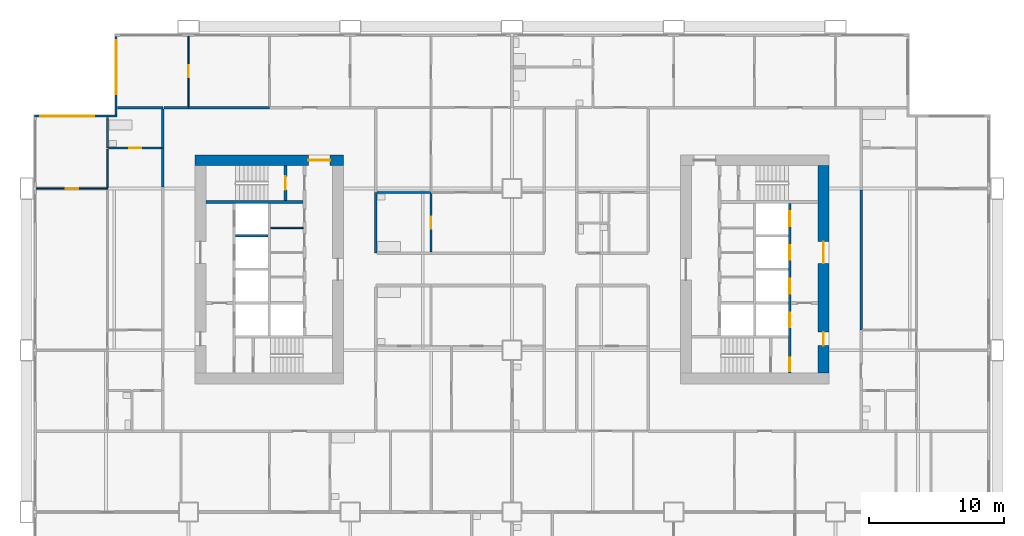
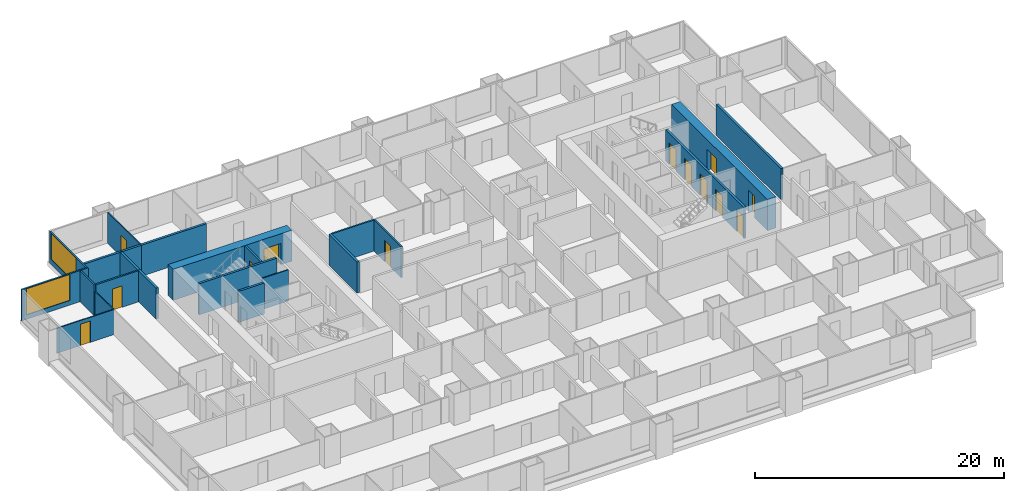
# One storey, part 7 of 13: 23 walls, 13 doors, 2 windows, 15 openings.
"""IFC4 building model written with IfcOpenShell, lengths in metres."""

from ifc_helpers import new_model, si_unit, direction, frame, frame_2d, origin, place, context, subcontext, project, spatial, rectangle, extrude, material, layer, layer_set, type_object, element, fill, save


model = new_model("IFC4")

# Units and contexts
model_context = context("Model", 3, precision=1e-05, world=origin(), true_north=direction((0.0, 1.0)))
body_context = subcontext(model_context, "Body", "Model", "MODEL_VIEW")
ifc_project = project(units=[si_unit("LENGTHUNIT", "METRE"), si_unit("AREAUNIT", "SQUARE_METRE"), si_unit("VOLUMEUNIT", "CUBIC_METRE"), si_unit("PLANEANGLEUNIT", "RADIAN"), si_unit("MASSUNIT", "GRAM", prefix="KILO")], contexts=[model_context])

# Site, building, storey
site_placement = place(None, origin())
site = spatial("IfcSite", under=ifc_project, at=site_placement, CompositionType="ELEMENT")
building_placement = place(site_placement, origin())
building = spatial("IfcBuilding", under=site, at=building_placement, Name="Kitamizu Gate Tower and Museum", CompositionType="ELEMENT")
storey_placement = place(building_placement, frame((0.0, 0.0, 78.300048828125)))
storey = spatial("IfcBuildingStorey", under=building, at=storey_placement, Name="L19", CompositionType="ELEMENT", Elevation=78.300048828125)

# Wall, opening, door
ifc_material_1 = material(Name="Concrete Fc60", Category="concrete")
ifc_layer_1 = layer(ifc_material_1, 0.800048828125)
ifc_layer_set_1 = layer_set([ifc_layer_1], Name="Concrete Fc60")
wall_type_1 = type_object("IfcWallType", Name="Core wall 800", PredefinedType="SHEAR", material=ifc_layer_set_1)
wall_1_placement = place(storey_placement, frame((12.5, 38.10009765625, 0.0), z_axis=(0.0, 0.0, 1.0), x_axis=(1.0, 0.0, 0.0)))
wall_1 = element("IfcWall", 1, at=wall_1_placement, inside=storey, type_object=wall_type_1, Name="Core wall WN", PredefinedType="SHEAR", context=body_context, shape_type="SweptSolid", body=[
    extrude(rectangle(XDim=11.0, YDim=0.800048828125, at=frame_2d((5.5, 0.0))), origin(), (0.0, 0.0, 1.0), 3.050048828125),
])
opening_1_placement = place(wall_1_placement, frame((8.39990234375, 0.0, 0.0)))
opening_1 = element("IfcOpeningElement", 2, at=opening_1_placement, cuts=wall_1, Name="Opening L19-078", PredefinedType="OPENING", context=body_context, shape_type="SweptSolid", body=[
    extrude(rectangle(XDim=1.60009765625, YDim=2.10009765625, at=frame_2d((0.800048828125, 1.050048828125))), frame((0.0, 0.41015625, 0.0), z_axis=(0.0, -1.0, 0.0), x_axis=(1.0, 0.0, 0.0)), (0.0, 0.0, 1.0), 0.820068359375),
])
ifc_material_2 = material(Name="Timber door set", Category="wood")
door_type_1 = type_object("IfcDoorType", Name="Entrance door 1600", OperationType="DOUBLE_DOOR_SINGLE_SWING", PredefinedType="DOOR", material=ifc_material_2)
door_1_placement = place(opening_1_placement, origin())
door_1 = element("IfcDoor", 3, at=door_1_placement, inside=storey, type_object=door_type_1, Name="Lobby door L19-078", OperationType="DOUBLE_DOOR_SINGLE_SWING", OverallHeight=2.10009765625, OverallWidth=1.60009765625, PredefinedType="DOOR", context=body_context, shape_type="SweptSolid", body=[
    extrude(rectangle(XDim=1.60009765625, YDim=2.10009765625, at=frame_2d((0.800048828125, 1.050048828125))), frame((0.0, 0.02490234375, 0.0), z_axis=(0.0, -1.0, 0.0), x_axis=(1.0, 0.0, 0.0)), (0.0, 0.0, 1.0), 0.050048828125),
])
fill(opening_1, door_1)

# Wall, openings, doors
wall_2_placement = place(storey_placement, frame((59.10009765625, 22.300048828125, 0.0), z_axis=(0.0, 0.0, 1.0), x_axis=(0.0, 1.0, 0.0)))
wall_2 = element("IfcWall", 4, at=wall_2_placement, inside=storey, type_object=wall_type_1, Name="Core wall EOUT", PredefinedType="SHEAR", context=body_context, shape_type="SweptSolid", body=[
    extrude(rectangle(XDim=15.39990234375, YDim=0.800048828125, at=frame_2d((7.699951171875, 0.0))), origin(), (0.0, 0.0, 1.0), 3.050048828125),
])
opening_2_placement = place(wall_2_placement, frame((8.14990234375, 0.0, 0.0)))
opening_2 = element("IfcOpeningElement", 5, at=opening_2_placement, cuts=wall_2, Name="Opening L19-089", PredefinedType="OPENING", context=body_context, shape_type="SweptSolid", body=[
    extrude(rectangle(XDim=1.60009765625, YDim=2.10009765625, at=frame_2d((0.800048828125, 1.050048828125))), frame((0.0, 0.41015625, 0.0), z_axis=(0.0, -1.0, 0.0), x_axis=(1.0, 0.0, 0.0)), (0.0, 0.0, 1.0), 0.820068359375),
])
opening_3_placement = place(wall_2_placement, frame((2.050048828125, 0.0, 0.0)))
opening_3 = element("IfcOpeningElement", 6, at=opening_3_placement, cuts=wall_2, Name="Opening L19-090", PredefinedType="OPENING", context=body_context, shape_type="SweptSolid", body=[
    extrude(rectangle(XDim=1.0, YDim=2.10009765625, at=frame_2d((0.5, 1.050048828125))), frame((0.0, 0.41015625, 0.0), z_axis=(0.0, -1.0, 0.0), x_axis=(1.0, 0.0, 0.0)), (0.0, 0.0, 1.0), 0.820068359375),
])
door_2_placement = place(opening_2_placement, origin())
door_2 = element("IfcDoor", 7, at=door_2_placement, inside=storey, type_object=door_type_1, Name="Lobby door L19-089", OperationType="DOUBLE_DOOR_SINGLE_SWING", OverallHeight=2.10009765625, OverallWidth=1.60009765625, PredefinedType="DOOR", context=body_context, shape_type="SweptSolid", body=[
    extrude(rectangle(XDim=1.60009765625, YDim=2.10009765625, at=frame_2d((0.800048828125, 1.050048828125))), frame((0.0, 0.02490234375, 0.0), z_axis=(0.0, -1.0, 0.0), x_axis=(1.0, 0.0, 0.0)), (0.0, 0.0, 1.0), 0.050048828125),
])
fill(opening_2, door_2)
ifc_material_3 = material(Name="Hollow metal door set")
door_type_2 = type_object("IfcDoorType", Name="Fire door 1000", OperationType="NOTDEFINED", PredefinedType="DOOR", material=ifc_material_3)
door_3_placement = place(opening_3_placement, origin())
door_3 = element("IfcDoor", 8, at=door_3_placement, inside=storey, type_object=door_type_2, Name="Fire-fighting lobby door L19-090", OperationType="SINGLE_SWING_LEFT", OverallHeight=2.10009765625, OverallWidth=1.0, PredefinedType="DOOR", context=body_context, shape_type="SweptSolid", body=[
    extrude(rectangle(XDim=1.0, YDim=2.10009765625, at=frame_2d((0.5, 1.050048828125))), frame((0.0, 0.02490234375, 0.0), z_axis=(0.0, -1.0, 0.0), x_axis=(1.0, 0.0, 0.0)), (0.0, 0.0, 1.0), 0.050048828125),
])
fill(opening_3, door_3)

# Wall
ifc_material_4 = material(Name="Gypsum board on galvanised stud")
ifc_layer_2 = layer(ifc_material_4, 0.10009765625)
ifc_layer_set_2 = layer_set([ifc_layer_2], Name="Gypsum board on galvanised stud")
wall_type_2 = type_object("IfcWallType", Name="Partition 100", PredefinedType="PARTITIONING", material=ifc_layer_set_2)
wall_3_placement = place(storey_placement, frame((18.10009765625, 33.074951171875, 0.0), z_axis=(0.0, 0.0, 1.0), x_axis=(1.0, 0.0, 0.0)))
element("IfcWall", 9, at=wall_3_placement, inside=storey, type_object=wall_type_2, Name="Partition WPF3", PredefinedType="PARTITIONING", context=body_context, shape_type="SweptSolid", body=[
    extrude(rectangle(XDim=2.39990234375, YDim=0.10009765625, at=frame_2d((1.199951171875, 0.0))), origin(), (0.0, 0.0, 1.0), 3.050048828125),
])

# Wall, opening, door
ifc_material_5 = material(Name="Gypsum board on galvanised stud")
ifc_layer_3 = layer(ifc_material_5, 0.10009765625)
ifc_layer_set_3 = layer_set([ifc_layer_3], Name="Gypsum board on galvanised stud")
wall_type_3 = type_object("IfcWallType", Name="Partition 100 NOT RATED", PredefinedType="PARTITIONING", material=ifc_layer_set_3)
wall_4_placement = place(storey_placement, frame((6.0, 36.0, 0.0), z_axis=(0.0, 0.0, 1.0), x_axis=(-1.0, 0.0, 0.0)))
wall_4 = element("IfcWall", 10, at=wall_4_placement, inside=storey, type_object=wall_type_3, Name="Partition L19-057", PredefinedType="PARTITIONING", context=body_context, shape_type="SweptSolid", body=[
    extrude(rectangle(XDim=5.280029296875, YDim=0.10009765625, at=frame_2d((2.64013671875, 0.0))), origin(), (0.0, 0.0, 1.0), 2.449951171875),
])
opening_4_placement = place(wall_4_placement, frame((2.18994140625, 0.0, 0.0)))
opening_4 = element("IfcOpeningElement", 11, at=opening_4_placement, cuts=wall_4, Name="Opening L19-022", PredefinedType="OPENING", context=body_context, shape_type="SweptSolid", body=[
    extrude(rectangle(XDim=0.89990234375, YDim=2.10009765625, at=frame_2d((0.449951171875, 1.050048828125))), frame((0.0, 0.06005859375, 0.0), z_axis=(0.0, -1.0, 0.0), x_axis=(1.0, 0.0, 0.0)), (0.0, 0.0, 1.0), 0.1201171875),
])
ifc_material_6 = material(Name="Timber door set", Category="wood")
door_type_3 = type_object("IfcDoorType", Name="Room door 900", OperationType="NOTDEFINED", PredefinedType="DOOR", material=ifc_material_6)
door_4_placement = place(opening_4_placement, frame((0.89990234375, 0.0, 0.0), x_axis=(-1.0, 0.0, 0.0)))
door_4 = element("IfcDoor", 12, at=door_4_placement, inside=storey, type_object=door_type_3, Name="Door L19-022", OperationType="SINGLE_SWING_RIGHT", OverallHeight=2.10009765625, OverallWidth=0.89990234375, PredefinedType="DOOR", context=body_context, shape_type="SweptSolid", body=[
    extrude(rectangle(XDim=0.89990234375, YDim=2.10009765625, at=frame_2d((0.449951171875, 1.050048828125))), frame((0.0, 0.02490234375, 0.0), z_axis=(0.0, -1.0, 0.0), x_axis=(1.0, 0.0, 0.0)), (0.0, 0.0, 1.0), 0.050048828125),
])
fill(opening_4, door_4)

# Wall
wall_5_placement = place(storey_placement, frame((6.0, 36.050048828125, 0.0), z_axis=(0.0, 0.0, 1.0), x_axis=(0.0, 1.0, 0.0)))
element("IfcWall", 13, at=wall_5_placement, inside=storey, type_object=wall_type_3, Name="Partition L19-060", PredefinedType="PARTITIONING", context=body_context, shape_type="SweptSolid", body=[
    extrude(rectangle(XDim=2.875, YDim=0.10009765625, at=frame_2d((1.4375, 0.0))), origin(), (0.0, 0.0, 1.0), 2.449951171875),
])

# Wall, opening, door
wall_6_placement = place(storey_placement, frame((12.0, 42.10009765625, 0.0), z_axis=(0.0, 0.0, 1.0), x_axis=(0.0, 1.0, 0.0)))
wall_6 = element("IfcWall", 14, at=wall_6_placement, inside=storey, type_object=wall_type_3, Name="Partition L19-140", PredefinedType="PARTITIONING", context=body_context, shape_type="SweptSolid", body=[
    extrude(rectangle(XDim=5.179931640625, YDim=0.10009765625, at=frame_2d((2.58984375, 0.0))), origin(), (0.0, 0.0, 1.0), 3.050048828125),
])
opening_5_placement = place(wall_6_placement, frame((2.139892578125, 0.0, 0.0)))
opening_5 = element("IfcOpeningElement", 15, at=opening_5_placement, cuts=wall_6, Name="Opening L19-059", PredefinedType="OPENING", context=body_context, shape_type="SweptSolid", body=[
    extrude(rectangle(XDim=0.89990234375, YDim=2.10009765625, at=frame_2d((0.449951171875, 1.050048828125))), frame((0.0, 0.06005859375, 0.0), z_axis=(0.0, -1.0, 0.0), x_axis=(1.0, 0.0, 0.0)), (0.0, 0.0, 1.0), 0.1201171875),
])
door_5_placement = place(opening_5_placement, origin())
door_5 = element("IfcDoor", 16, at=door_5_placement, inside=storey, type_object=door_type_3, Name="Door L19-059", OperationType="SINGLE_SWING_RIGHT", OverallHeight=2.10009765625, OverallWidth=0.89990234375, PredefinedType="DOOR", context=body_context, shape_type="SweptSolid", body=[
    extrude(rectangle(XDim=0.89990234375, YDim=2.10009765625, at=frame_2d((0.449951171875, 1.050048828125))), frame((0.0, 0.02490234375, 0.0), z_axis=(0.0, -1.0, 0.0), x_axis=(1.0, 0.0, 0.0)), (0.0, 0.0, 1.0), 0.050048828125),
])
fill(opening_5, door_5)

# Wall
ifc_material_7 = material(Name="Gypsum board on galvanised stud")
ifc_layer_4 = layer(ifc_material_7, 0.14990234375)
ifc_layer_set_4 = layer_set([ifc_layer_4], Name="Gypsum board on galvanised stud")
wall_type_4 = type_object("IfcWallType", Name="Partition 150", PredefinedType="PARTITIONING", material=ifc_layer_set_4)
wall_7_placement = place(storey_placement, frame((6.0, 39.0, 0.0), z_axis=(0.0, 0.0, 1.0), x_axis=(0.0, 1.0, 0.0)))
element("IfcWall", 17, at=wall_7_placement, inside=storey, type_object=wall_type_4, Name="Partition L19-061", PredefinedType="PARTITIONING", context=body_context, shape_type="SweptSolid", body=[
    extrude(rectangle(XDim=2.280029296875, YDim=0.14990234375, at=frame_2d((1.14013671875, 0.0))), origin(), (0.0, 0.0, 1.0), 3.050048828125),
])

# Wall, opening, door
wall_8_placement = place(storey_placement, frame((10.0, 39.0, 0.0), z_axis=(0.0, 0.0, 1.0), x_axis=(-1.0, 0.0, 0.0)))
wall_8 = element("IfcWall", 18, at=wall_8_placement, inside=storey, type_object=wall_type_4, Name="Partition L19-069", PredefinedType="PARTITIONING", context=body_context, shape_type="SweptSolid", body=[
    extrude(rectangle(XDim=3.925048828125, YDim=0.14990234375, at=frame_2d((1.96240234375, 0.0))), origin(), (0.0, 0.0, 1.0), 3.050048828125),
])
opening_6_placement = place(wall_8_placement, frame((1.512451171875, 0.0, 0.0)))
opening_6 = element("IfcOpeningElement", 19, at=opening_6_placement, cuts=wall_8, Name="Opening L19-025", PredefinedType="OPENING", context=body_context, shape_type="SweptSolid", body=[
    extrude(rectangle(XDim=0.89990234375, YDim=2.10009765625, at=frame_2d((0.449951171875, 1.050048828125))), frame((0.0, 0.0849609375, 0.0), z_axis=(0.0, -1.0, 0.0), x_axis=(1.0, 0.0, 0.0)), (0.0, 0.0, 1.0), 0.169921875),
])
ifc_material_8 = material(Name="Timber door set", Category="wood")
door_type_4 = type_object("IfcDoorType", Name="Bathroom door 900", OperationType="NOTDEFINED", PredefinedType="DOOR", material=ifc_material_8)
door_6_placement = place(opening_6_placement, frame((0.89990234375, 0.0, 0.0), x_axis=(-1.0, 0.0, 0.0)))
door_6 = element("IfcDoor", 20, at=door_6_placement, inside=storey, type_object=door_type_4, Name="Bathroom door L19-025", OperationType="SINGLE_SWING_LEFT", OverallHeight=2.10009765625, OverallWidth=0.89990234375, PredefinedType="DOOR", context=body_context, shape_type="SweptSolid", body=[
    extrude(rectangle(XDim=0.89990234375, YDim=2.10009765625, at=frame_2d((0.449951171875, 1.050048828125))), frame((0.0, 0.02490234375, 0.0), z_axis=(0.0, -1.0, 0.0), x_axis=(1.0, 0.0, 0.0)), (0.0, 0.0, 1.0), 0.050048828125),
])
fill(opening_6, door_6)

# Wall
wall_9_placement = place(storey_placement, frame((26.0, 35.699951171875, 0.0), z_axis=(0.0, 0.0, 1.0), x_axis=(1.0, 0.0, 0.0)))
element("IfcWall", 21, at=wall_9_placement, inside=storey, type_object=wall_type_4, Name="Partition L19-155", PredefinedType="PARTITIONING", context=body_context, shape_type="SweptSolid", body=[
    extrude(rectangle(XDim=4.0, YDim=0.14990234375, at=frame_2d((2.0, 0.0))), origin(), (0.0, 0.0, 1.0), 3.050048828125),
])

# Wall, opening, door
wall_10_placement = place(storey_placement, frame((30.0, 31.300048828125, 0.0), z_axis=(0.0, 0.0, 1.0), x_axis=(0.0, 1.0, 0.0)))
wall_10 = element("IfcWall", 22, at=wall_10_placement, inside=storey, type_object=wall_type_4, Name="Partition L19-165", PredefinedType="PARTITIONING", context=body_context, shape_type="SweptSolid", body=[
    extrude(rectangle(XDim=4.324951171875, YDim=0.14990234375, at=frame_2d((2.16259765625, 0.0))), origin(), (0.0, 0.0, 1.0), 3.050048828125),
])
opening_7_placement = place(wall_10_placement, frame((1.71240234375, 0.0, 0.0)))
opening_7 = element("IfcOpeningElement", 23, at=opening_7_placement, cuts=wall_10, Name="Opening L19-060", PredefinedType="OPENING", context=body_context, shape_type="SweptSolid", body=[
    extrude(rectangle(XDim=0.89990234375, YDim=2.10009765625, at=frame_2d((0.449951171875, 1.050048828125))), frame((0.0, 0.0849609375, 0.0), z_axis=(0.0, -1.0, 0.0), x_axis=(1.0, 0.0, 0.0)), (0.0, 0.0, 1.0), 0.169921875),
])
door_7_placement = place(opening_7_placement, origin())
door_7 = element("IfcDoor", 24, at=door_7_placement, inside=storey, type_object=door_type_4, Name="Bathroom door L19-060", OperationType="SINGLE_SWING_LEFT", OverallHeight=2.10009765625, OverallWidth=0.89990234375, PredefinedType="DOOR", context=body_context, shape_type="SweptSolid", body=[
    extrude(rectangle(XDim=0.89990234375, YDim=2.10009765625, at=frame_2d((0.449951171875, 1.050048828125))), frame((0.0, 0.02490234375, 0.0), z_axis=(0.0, -1.0, 0.0), x_axis=(1.0, 0.0, 0.0)), (0.0, 0.0, 1.0), 0.050048828125),
])
fill(opening_7, door_7)

# Walls
ifc_material_9 = material(Name="Gypsum board on galvanised stud")
ifc_layer_5 = layer(ifc_material_9, 0.199951171875)
ifc_layer_set_5 = layer_set([ifc_layer_5], Name="Gypsum board on galvanised stud")
wall_type_5 = type_object("IfcWallType", Name="Partition 200", PredefinedType="PARTITIONING", material=ifc_layer_set_5)
wall_11_placement = place(storey_placement, frame((10.10009765625, 36.10009765625, 0.0), z_axis=(0.0, 0.0, 1.0), x_axis=(0.0, 1.0, 0.0)))
element("IfcWall", 25, at=wall_11_placement, inside=storey, type_object=wall_type_5, Name="Partition L19-071", PredefinedType="PARTITIONING", context=body_context, shape_type="SweptSolid", body=[
    extrude(rectangle(XDim=2.89990234375, YDim=0.199951171875, at=frame_2d((1.449951171875, 0.0))), origin(), (0.0, 0.0, 1.0), 3.050048828125),
])
wall_12_placement = place(storey_placement, frame((10.10009765625, 42.0, 0.0), z_axis=(0.0, 0.0, 1.0), x_axis=(-1.0, 0.0, 0.0)))
element("IfcWall", 26, at=wall_12_placement, inside=storey, type_object=wall_type_5, Name="Partition L19-072", PredefinedType="PARTITIONING", context=body_context, shape_type="SweptSolid", body=[
    extrude(rectangle(XDim=3.380126953125, YDim=0.199951171875, at=frame_2d((1.68994140625, 0.0))), origin(), (0.0, 0.0, 1.0), 3.050048828125),
])
wall_13_placement = place(storey_placement, frame((10.10009765625, 39.0, 0.0), z_axis=(0.0, 0.0, 1.0), x_axis=(0.0, 1.0, 0.0)))
element("IfcWall", 27, at=wall_13_placement, inside=storey, type_object=wall_type_5, Name="Partition L19-073", PredefinedType="PARTITIONING", context=body_context, shape_type="SweptSolid", body=[
    extrude(rectangle(XDim=2.89990234375, YDim=0.199951171875, at=frame_2d((1.449951171875, 0.0))), origin(), (0.0, 0.0, 1.0), 3.050048828125),
])
wall_14_placement = place(storey_placement, frame((61.89990234375, 35.89990234375, 0.0), z_axis=(0.0, 0.0, 1.0), x_axis=(0.0, -1.0, 0.0)))
element("IfcWall", 28, at=wall_14_placement, inside=storey, type_object=wall_type_5, Name="Partition L19-137", PredefinedType="PARTITIONING", context=body_context, shape_type="SweptSolid", body=[
    extrude(rectangle(XDim=10.39990234375, YDim=0.199951171875, at=frame_2d((5.199951171875, 0.0))), origin(), (0.0, 0.0, 1.0), 3.050048828125),
])
wall_15_placement = place(storey_placement, frame((10.199951171875, 42.0, 0.0), z_axis=(0.0, 0.0, 1.0), x_axis=(1.0, 0.0, 0.0)))
element("IfcWall", 29, at=wall_15_placement, inside=storey, type_object=wall_type_5, Name="Partition L19-141", PredefinedType="PARTITIONING", context=body_context, shape_type="SweptSolid", body=[
    extrude(rectangle(XDim=1.800048828125, YDim=0.199951171875, at=frame_2d((0.89990234375, 0.0))), origin(), (0.0, 0.0, 1.0), 3.050048828125),
])
wall_16_placement = place(storey_placement, frame((12.0, 42.0, 0.0), z_axis=(0.0, 0.0, 1.0), x_axis=(1.0, 0.0, 0.0)))
element("IfcWall", 30, at=wall_16_placement, inside=storey, type_object=wall_type_5, Name="Partition L19-143", PredefinedType="PARTITIONING", context=body_context, shape_type="SweptSolid", body=[
    extrude(rectangle(XDim=6.0, YDim=0.199951171875, at=frame_2d((3.0, 0.0))), origin(), (0.0, 0.0, 1.0), 3.050048828125),
])
wall_17_placement = place(storey_placement, frame((25.89990234375, 35.699951171875, 0.0), z_axis=(0.0, 0.0, 1.0), x_axis=(0.0, -1.0, 0.0)))
element("IfcWall", 31, at=wall_17_placement, inside=storey, type_object=wall_type_5, Name="Partition L19-166", PredefinedType="PARTITIONING", context=body_context, shape_type="SweptSolid", body=[
    extrude(rectangle(XDim=4.5, YDim=0.199951171875, at=frame_2d((2.25, 0.0))), origin(), (0.0, 0.0, 1.0), 3.050048828125),
])
ifc_material_10 = material(Name="Concrete Fc42", Category="concrete")
ifc_layer_6 = layer(ifc_material_10, 0.199951171875)
ifc_layer_set_6 = layer_set([ifc_layer_6], Name="Concrete Fc42")
wall_type_6 = type_object("IfcWallType", Name="Shaft wall 200", PredefinedType="SOLIDWALL", material=ifc_layer_set_6)
wall_18_placement = place(storey_placement, frame((13.300048828125, 35.0, 0.0), z_axis=(0.0, 0.0, 1.0), x_axis=(1.0, 0.0, 0.0)))
element("IfcWall", 32, at=wall_18_placement, inside=storey, type_object=wall_type_6, Name="Shaft wall WNB", PredefinedType="SOLIDWALL", context=body_context, shape_type="SweptSolid", body=[
    extrude(rectangle(XDim=7.199951171875, YDim=0.199951171875, at=frame_2d((3.60009765625, 0.0))), origin(), (0.0, 0.0, 1.0), 3.050048828125),
])

# Wall, opening, door
wall_19_placement = place(storey_placement, frame((19.199951171875, 35.10009765625, 0.0), z_axis=(0.0, 0.0, 1.0), x_axis=(0.0, 1.0, 0.0)))
wall_19 = element("IfcWall", 33, at=wall_19_placement, inside=storey, type_object=wall_type_6, Name="Shaft wall WNZ", PredefinedType="SOLIDWALL", context=body_context, shape_type="SweptSolid", body=[
    extrude(rectangle(XDim=2.599853515625, YDim=0.199951171875, at=frame_2d((1.2998046875, 0.0))), origin(), (0.0, 0.0, 1.0), 3.050048828125),
])
opening_8_placement = place(wall_19_placement, frame((0.800048828125, 0.0, 0.0)))
opening_8 = element("IfcOpeningElement", 34, at=opening_8_placement, cuts=wall_19, Name="Opening L19-074", PredefinedType="OPENING", context=body_context, shape_type="SweptSolid", body=[
    extrude(rectangle(XDim=1.0, YDim=2.10009765625, at=frame_2d((0.5, 1.050048828125))), frame((0.0, 0.10986328125, 0.0), z_axis=(0.0, -1.0, 0.0), x_axis=(1.0, 0.0, 0.0)), (0.0, 0.0, 1.0), 0.219970703125),
])
door_8_placement = place(opening_8_placement, origin())
door_8 = element("IfcDoor", 35, at=door_8_placement, inside=storey, type_object=door_type_2, Name="Stair door L19-074", OperationType="SINGLE_SWING_LEFT", OverallHeight=2.10009765625, OverallWidth=1.0, PredefinedType="DOOR", context=body_context, shape_type="SweptSolid", body=[
    extrude(rectangle(XDim=1.0, YDim=2.10009765625, at=frame_2d((0.5, 1.050048828125))), frame((0.0, 0.02490234375, 0.0), z_axis=(0.0, -1.0, 0.0), x_axis=(1.0, 0.0, 0.0)), (0.0, 0.0, 1.0), 0.050048828125),
])
fill(opening_8, door_8)

# Wall
wall_20_placement = place(storey_placement, frame((15.5, 32.5, 0.0), z_axis=(0.0, 0.0, 1.0), x_axis=(1.0, 0.0, 0.0)))
element("IfcWall", 36, at=wall_20_placement, inside=storey, type_object=wall_type_6, Name="Shaft wall WDVW2", PredefinedType="SOLIDWALL", context=body_context, shape_type="SweptSolid", body=[
    extrude(rectangle(XDim=2.39990234375, YDim=0.199951171875, at=frame_2d((1.199951171875, 0.0))), origin(), (0.0, 0.0, 1.0), 3.050048828125),
])

# Wall, openings, doors
wall_21_placement = place(storey_placement, frame((56.60009765625, 22.300048828125, 0.0), z_axis=(0.0, 0.0, 1.0), x_axis=(0.0, 1.0, 0.0)))
wall_21 = element("IfcWall", 37, at=wall_21_placement, inside=storey, type_object=wall_type_6, Name="Shaft wall EWEST", PredefinedType="SOLIDWALL", context=body_context, shape_type="SweptSolid", body=[
    extrude(rectangle(XDim=12.599853515625, YDim=0.199951171875, at=frame_2d((6.2998046875, 0.0))), origin(), (0.0, 0.0, 1.0), 3.050048828125),
])
opening_9_placement = place(wall_21_placement, frame((3.39990234375, 0.0, 0.0)))
opening_9 = element("IfcOpeningElement", 38, at=opening_9_placement, cuts=wall_21, Name="Opening LD", PredefinedType="OPENING", context=body_context, shape_type="SweptSolid", body=[
    extrude(rectangle(XDim=1.10009765625, YDim=2.10009765625, at=frame_2d((0.550048828125, 1.050048828125))), frame((0.0, 0.10986328125, 0.0), z_axis=(0.0, -1.0, 0.0), x_axis=(1.0, 0.0, 0.0)), (0.0, 0.0, 1.0), 0.219970703125),
])
opening_10_placement = place(wall_21_placement, frame((5.89990234375, 0.0, 0.0)))
opening_10 = element("IfcOpeningElement", 39, at=opening_10_placement, cuts=wall_21, Name="Opening LD", PredefinedType="OPENING", context=body_context, shape_type="SweptSolid", body=[
    extrude(rectangle(XDim=1.10009765625, YDim=2.10009765625, at=frame_2d((0.550048828125, 1.050048828125))), frame((0.0, 0.10986328125, 0.0), z_axis=(0.0, -1.0, 0.0), x_axis=(1.0, 0.0, 0.0)), (0.0, 0.0, 1.0), 0.219970703125),
])
opening_11_placement = place(wall_21_placement, frame((8.39990234375, 0.0, 0.0)))
opening_11 = element("IfcOpeningElement", 40, at=opening_11_placement, cuts=wall_21, Name="Opening LD", PredefinedType="OPENING", context=body_context, shape_type="SweptSolid", body=[
    extrude(rectangle(XDim=1.10009765625, YDim=2.10009765625, at=frame_2d((0.550048828125, 1.050048828125))), frame((0.0, 0.10986328125, 0.0), z_axis=(0.0, -1.0, 0.0), x_axis=(1.0, 0.0, 0.0)), (0.0, 0.0, 1.0), 0.219970703125),
])
opening_12_placement = place(wall_21_placement, frame((10.89990234375, 0.0, 0.0)))
opening_12 = element("IfcOpeningElement", 41, at=opening_12_placement, cuts=wall_21, Name="Opening LD", PredefinedType="OPENING", context=body_context, shape_type="SweptSolid", body=[
    extrude(rectangle(XDim=1.10009765625, YDim=2.10009765625, at=frame_2d((0.550048828125, 1.050048828125))), frame((0.0, 0.10986328125, 0.0), z_axis=(0.0, -1.0, 0.0), x_axis=(1.0, 0.0, 0.0)), (0.0, 0.0, 1.0), 0.219970703125),
])
opening_13_placement = place(wall_21_placement, frame((0.14990234375, 0.0, 0.0)))
opening_13 = element("IfcOpeningElement", 42, at=opening_13_placement, cuts=wall_21, Name="Opening L19-085", PredefinedType="OPENING", context=body_context, shape_type="SweptSolid", body=[
    extrude(rectangle(XDim=1.0, YDim=2.10009765625, at=frame_2d((0.5, 1.050048828125))), frame((0.0, 0.10986328125, 0.0), z_axis=(0.0, -1.0, 0.0), x_axis=(1.0, 0.0, 0.0)), (0.0, 0.0, 1.0), 0.219970703125),
])
door_9_placement = place(opening_13_placement, origin())
door_9 = element("IfcDoor", 43, at=door_9_placement, inside=storey, type_object=door_type_2, Name="Stair lobby door L19-085", OperationType="SINGLE_SWING_RIGHT", OverallHeight=2.10009765625, OverallWidth=1.0, PredefinedType="DOOR", context=body_context, shape_type="SweptSolid", body=[
    extrude(rectangle(XDim=1.0, YDim=2.10009765625, at=frame_2d((0.5, 1.050048828125))), frame((0.0, 0.02490234375, 0.0), z_axis=(0.0, -1.0, 0.0), x_axis=(1.0, 0.0, 0.0)), (0.0, 0.0, 1.0), 0.050048828125),
])
fill(opening_13, door_9)
ifc_material_11 = material(Name="Hollow metal door set")
door_type_5 = type_object("IfcDoorType", Name="Landing door 1100", OperationType="SLIDING_TO_LEFT", PredefinedType="DOOR", material=ifc_material_11)
door_10_placement = place(opening_9_placement, origin())
door_10 = element("IfcDoor", 44, at=door_10_placement, inside=storey, type_object=door_type_5, Name="Landing door EFF1", OperationType="SLIDING_TO_LEFT", OverallHeight=2.10009765625, OverallWidth=1.10009765625, PredefinedType="DOOR", context=body_context, shape_type="SweptSolid", body=[
    extrude(rectangle(XDim=1.10009765625, YDim=2.10009765625, at=frame_2d((0.550048828125, 1.050048828125))), frame((0.0, 0.02490234375, 0.0), z_axis=(0.0, -1.0, 0.0), x_axis=(1.0, 0.0, 0.0)), (0.0, 0.0, 1.0), 0.050048828125),
])
fill(opening_9, door_10)
door_11_placement = place(opening_10_placement, origin())
door_11 = element("IfcDoor", 45, at=door_11_placement, inside=storey, type_object=door_type_5, Name="Landing door EL1", OperationType="SLIDING_TO_LEFT", OverallHeight=2.10009765625, OverallWidth=1.10009765625, PredefinedType="DOOR", context=body_context, shape_type="SweptSolid", body=[
    extrude(rectangle(XDim=1.10009765625, YDim=2.10009765625, at=frame_2d((0.550048828125, 1.050048828125))), frame((0.0, 0.02490234375, 0.0), z_axis=(0.0, -1.0, 0.0), x_axis=(1.0, 0.0, 0.0)), (0.0, 0.0, 1.0), 0.050048828125),
])
fill(opening_10, door_11)
door_12_placement = place(opening_11_placement, origin())
door_12 = element("IfcDoor", 46, at=door_12_placement, inside=storey, type_object=door_type_5, Name="Landing door EL2", OperationType="SLIDING_TO_LEFT", OverallHeight=2.10009765625, OverallWidth=1.10009765625, PredefinedType="DOOR", context=body_context, shape_type="SweptSolid", body=[
    extrude(rectangle(XDim=1.10009765625, YDim=2.10009765625, at=frame_2d((0.550048828125, 1.050048828125))), frame((0.0, 0.02490234375, 0.0), z_axis=(0.0, -1.0, 0.0), x_axis=(1.0, 0.0, 0.0)), (0.0, 0.0, 1.0), 0.050048828125),
])
fill(opening_11, door_12)
door_13_placement = place(opening_12_placement, origin())
door_13 = element("IfcDoor", 47, at=door_13_placement, inside=storey, type_object=door_type_5, Name="Landing door EL3", OperationType="SLIDING_TO_LEFT", OverallHeight=2.10009765625, OverallWidth=1.10009765625, PredefinedType="DOOR", context=body_context, shape_type="SweptSolid", body=[
    extrude(rectangle(XDim=1.10009765625, YDim=2.10009765625, at=frame_2d((0.550048828125, 1.050048828125))), frame((0.0, 0.02490234375, 0.0), z_axis=(0.0, -1.0, 0.0), x_axis=(1.0, 0.0, 0.0)), (0.0, 0.0, 1.0), 0.050048828125),
])
fill(opening_12, door_13)

# Wall, opening, window
ifc_material_12 = material(Name="Bronze anodised aluminium frame with insulated spandrel and tinted glass", Category="aluminium")
ifc_layer_7 = layer(ifc_material_12, 0.14990234375)
ifc_layer_set_7 = layer_set([ifc_layer_7], Name="Bronze anodised aluminium frame with insulated spandrel and tinted glass")
wall_type_7 = type_object("IfcWallType", Name="WINDOW WALL 150 BRONZE FRAME EI 30", PredefinedType="ELEMENTEDWALL", material=ifc_layer_set_7)
wall_22_placement = place(storey_placement, frame((6.635009765625, 41.43994140625, 0.0), z_axis=(0.0, 0.0, 1.0), x_axis=(0.0, 1.0, 0.0)))
wall_22 = element("IfcWall", 48, at=wall_22_placement, inside=storey, type_object=wall_type_7, Name="Window wall west L19", PredefinedType="ELEMENTEDWALL", context=body_context, shape_type="SweptSolid", body=[
    extrude(rectangle(XDim=5.85009765625, YDim=0.14990234375, at=frame_2d((2.925048828125, 0.0))), origin(), (0.0, 0.0, 1.0), 3.050048828125),
])
opening_14_placement = place(wall_22_placement, frame((1.56005859375, 0.0, 0.449951171875)))
opening_14 = element("IfcOpeningElement", 49, at=opening_14_placement, cuts=wall_22, Name="Opening W16", PredefinedType="OPENING", context=body_context, shape_type="SweptSolid", body=[
    extrude(rectangle(XDim=4.0, YDim=2.550048828125, at=frame_2d((2.0, 1.27490234375))), frame((0.0, 0.0849609375, 0.0), z_axis=(0.0, -1.0, 0.0), x_axis=(1.0, 0.0, 0.0)), (0.0, 0.0, 1.0), 0.169921875),
])
ifc_material_13 = material(Name="Bronze anodised aluminium frame, tinted triple glazing", Category="aluminium")
window_type = type_object("IfcWindowType", Name="WINDOW 4000 x 2550 SILL 450", PartitioningType="SINGLE_PANEL", PredefinedType="WINDOW", material=ifc_material_13)
window_1_placement = place(opening_14_placement, origin())
window_1 = element("IfcWindow", 50, at=window_1_placement, inside=storey, type_object=window_type, Name="Window W16 L19", OverallHeight=2.550048828125, OverallWidth=4.0, PartitioningType="SINGLE_PANEL", PredefinedType="WINDOW", context=body_context, shape_type="SweptSolid", body=[
    extrude(rectangle(XDim=4.0, YDim=2.550048828125, at=frame_2d((2.0, 1.27490234375))), frame((0.0, 0.030029296875, 0.0), z_axis=(0.0, -1.0, 0.0), x_axis=(1.0, 0.0, 0.0)), (0.0, 0.0, 1.0), 0.06005859375),
])
fill(opening_14, window_1)

wall_23_placement = place(storey_placement, frame((0.56005859375, 41.364990234375, 0.0), z_axis=(0.0, 0.0, 1.0), x_axis=(1.0, 0.0, 0.0)))
wall_23 = element("IfcWall", 51, at=wall_23_placement, inside=storey, type_object=wall_type_7, Name="Window wall north L19", PredefinedType="ELEMENTEDWALL", context=body_context, shape_type="SweptSolid", body=[
    extrude(rectangle(XDim=6.14990234375, YDim=0.14990234375, at=frame_2d((3.074951171875, 0.0))), origin(), (0.0, 0.0, 1.0), 3.050048828125),
])
opening_15_placement = place(wall_23_placement, frame((0.43994140625, 0.0, 0.449951171875)))
opening_15 = element("IfcOpeningElement", 52, at=opening_15_placement, cuts=wall_23, Name="Opening W16", PredefinedType="OPENING", context=body_context, shape_type="SweptSolid", body=[
    extrude(rectangle(XDim=4.0, YDim=2.550048828125, at=frame_2d((2.0, 1.27490234375))), frame((0.0, 0.0849609375, 0.0), z_axis=(0.0, -1.0, 0.0), x_axis=(1.0, 0.0, 0.0)), (0.0, 0.0, 1.0), 0.169921875),
])
window_2_placement = place(opening_15_placement, origin())
window_2 = element("IfcWindow", 53, at=window_2_placement, inside=storey, type_object=window_type, Name="Window W16 L19", OverallHeight=2.550048828125, OverallWidth=4.0, PartitioningType="SINGLE_PANEL", PredefinedType="WINDOW", context=body_context, shape_type="SweptSolid", body=[
    extrude(rectangle(XDim=4.0, YDim=2.550048828125, at=frame_2d((2.0, 1.27490234375))), frame((0.0, 0.030029296875, 0.0), z_axis=(0.0, -1.0, 0.0), x_axis=(1.0, 0.0, 0.0)), (0.0, 0.0, 1.0), 0.06005859375),
])
fill(opening_15, window_2)

save(model, "model.ifc")
